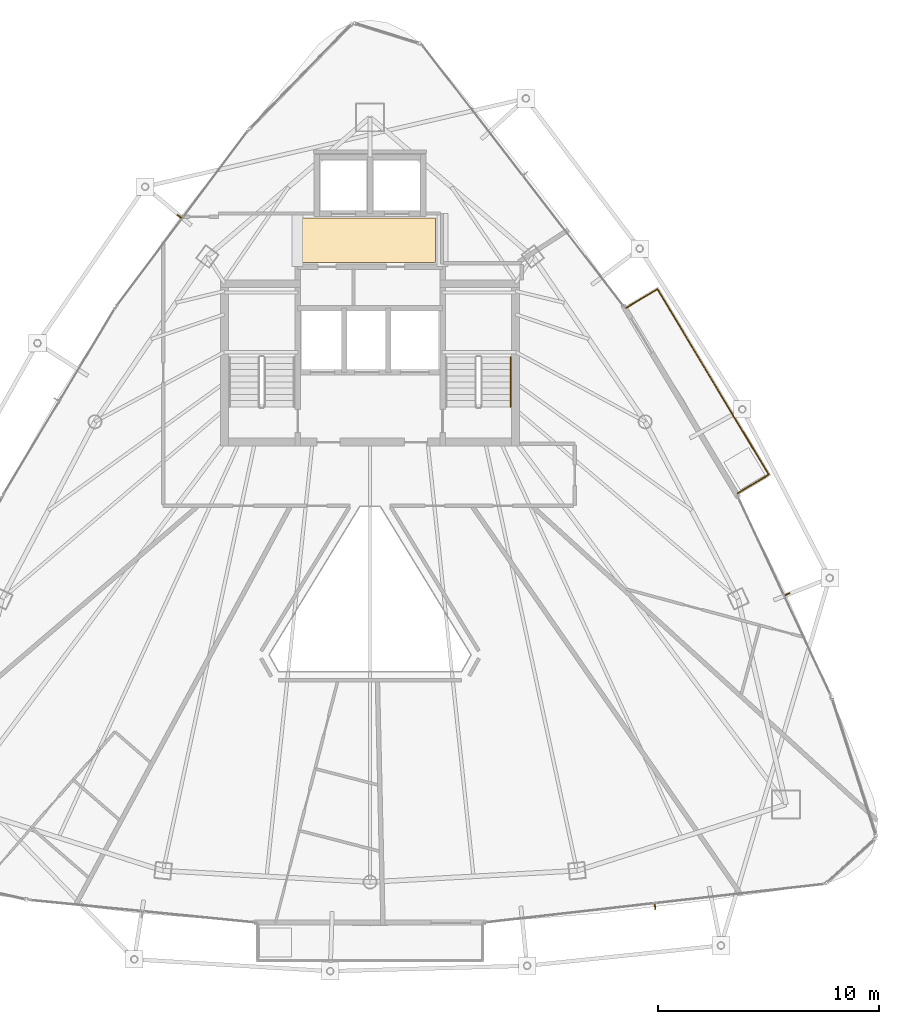
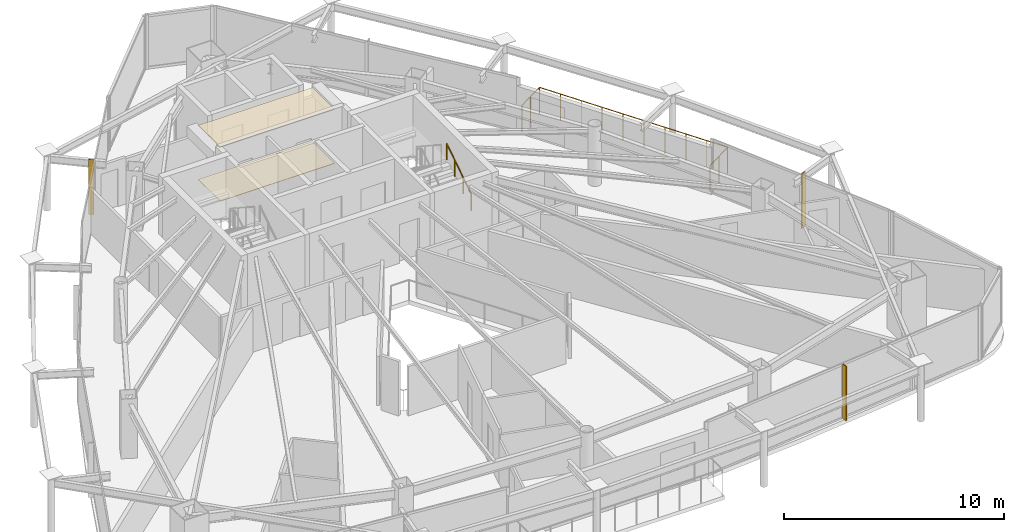
# One storey, part 29 of 30: 3 shading devices, 2 coverings, 2 railings.
"""IFC4 building model written with IfcOpenShell, lengths in metres."""

from ifc_helpers import new_model, si_unit, direction, frame, origin, origin_2d, place, context, subcontext, project, spatial, polyline, rectangle, circle, outline, extrude, material, layer, layer_set, type_object, element, save


model = new_model("IFC4")

# Units and contexts
model_context = context("Model", 3, precision=1e-05, world=origin(), true_north=direction((0.0, 1.0)))
body_context = subcontext(model_context, "Body", "Model", "MODEL_VIEW")
ifc_project = project(units=[si_unit("LENGTHUNIT", "METRE"), si_unit("AREAUNIT", "SQUARE_METRE"), si_unit("VOLUMEUNIT", "CUBIC_METRE"), si_unit("PLANEANGLEUNIT", "RADIAN"), si_unit("MASSUNIT", "GRAM", prefix="KILO")], contexts=[model_context])

# Site, building, storey
site_placement = place(None, origin())
site = spatial("IfcSite", under=ifc_project, at=site_placement, CompositionType="ELEMENT")
building_placement = place(site_placement, origin())
building = spatial("IfcBuilding", under=site, at=building_placement, Name="Orvanel Arch Residences", CompositionType="ELEMENT")
storey_placement = place(building_placement, frame((0.0, 0.0, 232.699951171875)))
storey = spatial("IfcBuildingStorey", under=building, at=storey_placement, Name="L66", CompositionType="ELEMENT", Elevation=232.699951171875)

# Coverings
ifc_material_1 = material(Name="Perforated acoustic mineral-fibre ceiling tile", Category="gypsum")
ifc_layer_1 = layer(ifc_material_1, 0.034912109375)
ifc_layer_set_1 = layer_set([ifc_layer_1], Name="Perforated acoustic mineral-fibre ceiling tile")
covering_type_1 = type_object("IfcCoveringType", Name="COV-CLG-ACS35", PredefinedType="CEILING", material=ifc_layer_set_1)
covering_1_placement = place(storey_placement, frame((0.0, 0.0, 2.985107421875)))
element("IfcCovering", 1, at=covering_1_placement, inside=storey, type_object=covering_type_1, Name="L66 Lift Lobby Acoustic Ceiling", PredefinedType="CEILING", context=body_context, shape_type="SweptSolid", body=[
    extrude(outline(polyline([(29.949951171875, 34.85009765625), (35.949951171875, 34.85009765625), (35.949951171875, 36.85009765625), (29.949951171875, 36.85009765625), (29.949951171875, 34.85009765625)])), origin(), (0.0, 0.0, 1.0), 0.034912109375),
])
ifc_material_2 = material(Name="Honed cementitious terrazzo floor finish", Category="concrete")
ifc_layer_2 = layer(ifc_material_2, 0.02490234375)
ifc_layer_set_2 = layer_set([ifc_layer_2], Name="Honed cementitious terrazzo floor finish")
covering_type_2 = type_object("IfcCoveringType", Name="COV-FLR-TRZ25", PredefinedType="FLOORING", material=ifc_layer_set_2)
covering_2_placement = place(storey_placement, origin())
element("IfcCovering", 2, at=covering_2_placement, inside=storey, type_object=covering_type_2, Name="L66 Lift Lobby Terrazzo Flooring", PredefinedType="FLOORING", context=body_context, shape_type="SweptSolid", body=[
    extrude(outline(polyline([(29.949951171875, 34.85009765625), (35.949951171875, 34.85009765625), (35.949951171875, 36.85009765625), (29.949951171875, 36.85009765625), (29.949951171875, 34.85009765625)])), origin(), (0.0, 0.0, 1.0), 0.025146484375),
])

# Shading devices
ifc_material_3 = material(Name="Bronze-anodised aluminium AA6063-T6", Category="aluminium")
ifc_layer_3 = layer(ifc_material_3, 0.050048828125)
ifc_layer_set_3 = layer_set([ifc_layer_3], Name="Bronze-anodised aluminium AA6063-T6")
shading_device_type = type_object("IfcShadingDeviceType", Name="FIN-BRZ-260", PredefinedType="USERDEFINED", material=ifc_layer_set_3)
for number, where, z_axis, x_axis, name in (
    (3, (24.385009765625, 36.9208984375, 0.0), (0.0, 0.0, 1.0), (-0.800731370949, 0.599023598516, 0.0), "L66 Anodised Bronze Mullion FIN 01"),
    (4, (45.8779296875, 5.73095703125, 0.0), (0.0, 0.0, 1.0), (0.113203213768, -0.993571855677, 0.0), "L66 Anodised Bronze Mullion FIN 01"),
    (5, (51.85498046875, 19.84912109375, 0.0), (0.0, 0.0, 1.0), (0.905568799011, 0.424199422745, 0.0), "L66 Anodised Bronze Mullion FIN 01"),
):
    element("IfcShadingDevice", number, at=place(storey_placement, frame(where, z_axis=z_axis, x_axis=x_axis)), inside=storey, type_object=shading_device_type, Name=name, ObjectType="FIN", PredefinedType="USERDEFINED", context=body_context, shape_type="SweptSolid", body=[
        extrude(rectangle(XDim=0.260009765625, YDim=0.050048828125, at=origin_2d()), origin(), (0.0, 0.0, 1.0), 3.02001953125),
    ])

# Railings
railing_type_1 = type_object("IfcRailingType", Name="RL-BAL-1480", PredefinedType="BALUSTRADE", material=ifc_material_3)
railing_1_placement = place(storey_placement, frame((49.60791015625, 24.406982421875, 0.0)))
element("IfcRailing", 6, at=railing_1_placement, inside=storey, type_object=railing_type_1, Name="L66 Balcony Perimeter Guardrail Face 3", PredefinedType="BALUSTRADE", context=body_context, shape_type="SweptSolid", body=[
    extrude(circle(Radius=0.02392578125, at=origin_2d()), frame((0.001220703125, 0.000732421875, 1.4560546875), z_axis=(0.857545439568, 0.514408222208, 0.0), x_axis=(-0.514408222208, 0.857545439568, 0.0)), (0.0, 0.0, 1.0), 1.6376953125),
    extrude(circle(Radius=0.02392578125, at=origin_2d()), frame((1.40625, 0.84521484375, 1.4560546875), z_axis=(-0.514403956003, 0.857547998685, 0.0), x_axis=(-0.857547998685, -0.514403956003, 0.0)), (0.0, 0.0, 1.0), 9.77490234375),
    extrude(circle(Radius=0.02392578125, at=origin_2d()), frame((-3.6240234375, 9.228271484375, 1.4560546875), z_axis=(-0.857387817543, -0.514670895164, 0.0), x_axis=(0.514670895164, -0.857387817543, 0.0)), (0.0, 0.0, 1.0), 1.636962890625),
    extrude(circle(Radius=0.02099609375, at=origin_2d()), origin(), (0.0, 0.0, 1.0), 1.429931640625),
    extrude(circle(Radius=0.02099609375, at=origin_2d()), frame((0.70361328125, 0.421875, 0.0)), (0.0, 0.0, 1.0), 1.429931640625),
    extrude(circle(Radius=0.02099609375, at=origin_2d()), frame((1.406982421875, 0.843994140625, 0.0)), (0.0, 0.0, 1.0), 1.429931640625),
    extrude(circle(Radius=0.02099609375, at=origin_2d()), frame((0.84814453125, 1.775634765625, 0.0)), (0.0, 0.0, 1.0), 1.429931640625),
    extrude(circle(Radius=0.02099609375, at=origin_2d()), frame((0.289306640625, 2.707275390625, 0.0)), (0.0, 0.0, 1.0), 1.429931640625),
    extrude(circle(Radius=0.02099609375, at=origin_2d()), frame((-0.26953125, 3.638916015625, 0.0)), (0.0, 0.0, 1.0), 1.429931640625),
    extrude(circle(Radius=0.02099609375, at=origin_2d()), frame((-0.828369140625, 4.570556640625, 0.0)), (0.0, 0.0, 1.0), 1.429931640625),
    extrude(circle(Radius=0.02099609375, at=origin_2d()), frame((-1.387451171875, 5.50244140625, 0.0)), (0.0, 0.0, 1.0), 1.429931640625),
    extrude(circle(Radius=0.02099609375, at=origin_2d()), frame((-1.9462890625, 6.43408203125, 0.0)), (0.0, 0.0, 1.0), 1.429931640625),
    extrude(circle(Radius=0.02099609375, at=origin_2d()), frame((-2.505126953125, 7.36572265625, 0.0)), (0.0, 0.0, 1.0), 1.429931640625),
    extrude(circle(Radius=0.02099609375, at=origin_2d()), frame((-3.06396484375, 8.29736328125, 0.0)), (0.0, 0.0, 1.0), 1.429931640625),
    extrude(circle(Radius=0.02099609375, at=origin_2d()), frame((-3.622802734375, 9.22900390625, 0.0)), (0.0, 0.0, 1.0), 1.429931640625),
    extrude(circle(Radius=0.02099609375, at=origin_2d()), frame((-4.32568359375, 8.80712890625, 0.0)), (0.0, 0.0, 1.0), 1.429931640625),
    extrude(circle(Radius=0.02099609375, at=origin_2d()), frame((-5.02880859375, 8.385009765625, 0.0)), (0.0, 0.0, 1.0), 1.429931640625),
])
ifc_material_4 = material(Name="Structural steel AS/NZS 1163 C350L0 (Grade 350)", Category="steel")
railing_type_2 = type_object("IfcRailingType", Name="RL-STAIR-HAND", PredefinedType="HANDRAIL", material=ifc_material_4)
railing_2_placement = place(storey_placement, frame((39.35009765625, 28.320068359375, 0.183349609375)))
element("IfcRailing", 7, at=railing_2_placement, inside=storey, type_object=railing_type_2, Name="L66 ST-2 stair handrail 1", PredefinedType="HANDRAIL", context=body_context, shape_type="SweptSolid", body=[
    extrude(circle(Radius=0.02392578125, at=origin_2d()), frame((0.0, 0.001220703125, 0.876708984375), z_axis=(0.0, 0.836595146698, 0.547821650285), x_axis=(-1.0, 0.0, 0.0)), (0.0, 0.0, 1.0), 2.674560546875),
    extrude(circle(Radius=0.02099609375, at=origin_2d()), origin(), (0.0, 0.0, 1.0), 0.849853515625),
    extrude(circle(Radius=0.02099609375, at=origin_2d()), frame((0.0, 0.74658203125, 0.489013671875)), (0.0, 0.0, 1.0), 0.849853515625),
    extrude(circle(Radius=0.02099609375, at=origin_2d()), frame((0.0, 1.493408203125, 0.977783203125)), (0.0, 0.0, 1.0), 0.849853515625),
    extrude(circle(Radius=0.02099609375, at=origin_2d()), frame((0.0, 2.239990234375, 1.466796875)), (0.0, 0.0, 1.0), 0.849853515625),
])

save(model, "model.ifc")
